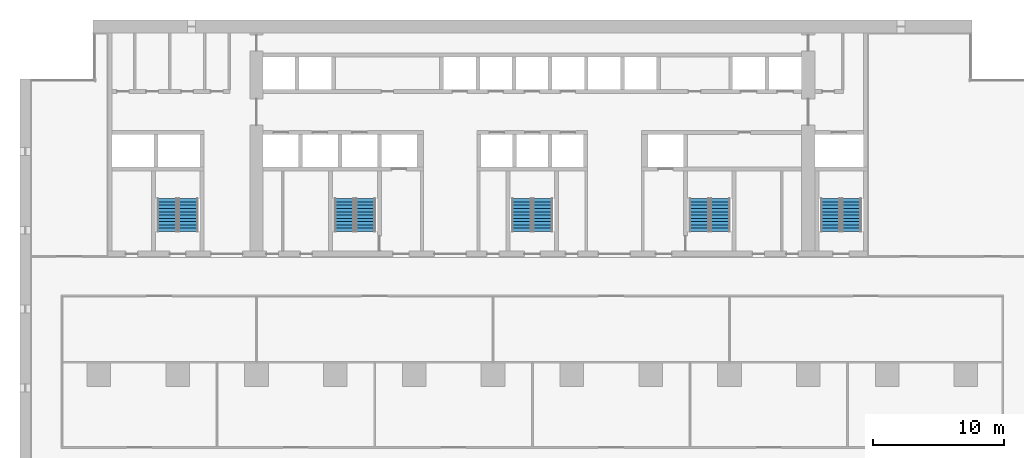
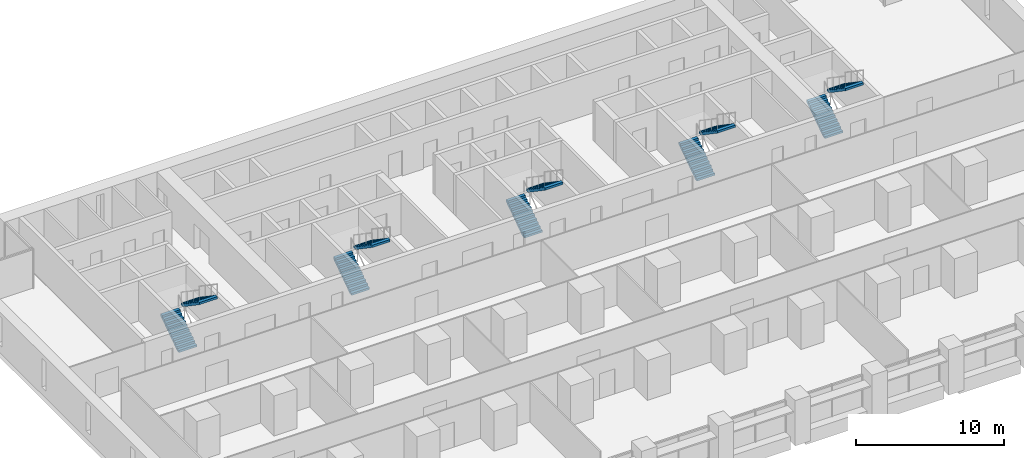
# One storey, part 14 of 18: 10 stair flights, 5 elements without a shape of their own.
"""IFC4 building model written with IfcOpenShell, lengths in metres."""

from ifc_helpers import new_model, si_unit, direction, frame, origin, place, context, subcontext, project, spatial, polyline, outline, extrude, material, type_object, element, aggregate, save


model = new_model("IFC4")

# Units and contexts
model_context = context("Model", 3, precision=1e-05, world=origin(), true_north=direction((0.0, 1.0)))
body_context = subcontext(model_context, "Body", "Model", "MODEL_VIEW")
ifc_project = project(units=[si_unit("LENGTHUNIT", "METRE"), si_unit("AREAUNIT", "SQUARE_METRE"), si_unit("VOLUMEUNIT", "CUBIC_METRE"), si_unit("PLANEANGLEUNIT", "RADIAN"), si_unit("MASSUNIT", "GRAM", prefix="KILO")], contexts=[model_context])

# Site, building, storey
site_placement = place(None, origin())
site = spatial("IfcSite", under=ifc_project, at=site_placement, CompositionType="ELEMENT")
building_placement = place(site_placement, origin())
building = spatial("IfcBuilding", under=site, at=building_placement, Name="Calvaro Tower", CompositionType="ELEMENT")
storey_placement = place(building_placement, frame((0.0, 0.0, 33.75)))
storey = spatial("IfcBuildingStorey", under=building, at=storey_placement, Name="L07", CompositionType="ELEMENT", Elevation=33.75)

# Stair, stair flights
ifc_material_1 = material(Name="Concrete C40/50", Category="concrete")
stair_type = type_object("IfcStairType", Name="Exit stair 1400 2 flights", PredefinedType="HALF_TURN_STAIR", material=ifc_material_1)
stair_1_placement = place(storey_placement, origin())
stair_1 = element("IfcStair", 1, at=stair_1_placement, inside=storey, type_object=stair_type, Name="Exit stair S1", PredefinedType="HALF_TURN_STAIR")
ifc_material_2 = material(Name="Concrete C40/50", Category="concrete")
stair_flight_type = type_object("IfcStairFlightType", Name="Stair flight", PredefinedType="STRAIGHT", material=ifc_material_2)
stair_flight_1_placement = place(storey_placement, frame((11.199951171875, 29.89990234375, 0.0), z_axis=(0.0, 0.0, 1.0), x_axis=(0.0, 1.0, 0.0)))
stair_flight_1 = element("IfcStairFlight", 2, at=stair_flight_1_placement, type_object=stair_flight_type, Name="Exit stair 1, flight 1", NumberOfRisers=11, NumberOfTreads=10, PredefinedType="STRAIGHT", RiserHeight=0.170454545, TreadLength=0.25, context=body_context, shape_type="SweptSolid", body=[
    extrude(outline(polyline([(0.0, 0.0), (0.0, 0.17041015625), (0.25, 0.17041015625), (0.25, 0.3408203125), (0.5, 0.3408203125), (0.5, 0.511474609375), (0.75, 0.511474609375), (0.75, 0.681884765625), (1.0, 0.681884765625), (1.0, 0.852294921875), (1.25, 0.852294921875), (1.25, 1.022705078125), (1.5, 1.022705078125), (1.5, 1.193115234375), (1.75, 1.193115234375), (1.75, 1.363525390625), (2.0, 1.363525390625), (2.0, 1.5341796875), (2.25, 1.5341796875), (2.25, 1.70458984375), (2.5, 1.70458984375), (2.5, 1.875), (2.5, 1.523193359375), (0.26611328125, 0.0), (0.0, 0.0)])), frame((0.0, 0.699951171875, 0.0), z_axis=(0.0, -1.0, 0.0), x_axis=(1.0, 0.0, 0.0)), (0.0, 0.0, 1.0), 1.39990234375),
])
stair_flight_2_placement = place(storey_placement, frame((12.800048828125, 32.39990234375, 1.875), z_axis=(0.0, 0.0, 1.0), x_axis=(0.0, -1.0, 0.0)))
stair_flight_2 = element("IfcStairFlight", 3, at=stair_flight_2_placement, type_object=stair_flight_type, Name="Exit stair 1, flight 2", NumberOfRisers=11, NumberOfTreads=10, PredefinedType="STRAIGHT", RiserHeight=0.170454545, TreadLength=0.25, context=body_context, shape_type="SweptSolid", body=[
    extrude(outline(polyline([(0.0, 0.0), (0.0, 0.17041015625), (0.25, 0.17041015625), (0.25, 0.3408203125), (0.5, 0.3408203125), (0.5, 0.511474609375), (0.75, 0.511474609375), (0.75, 0.681884765625), (1.0, 0.681884765625), (1.0, 0.852294921875), (1.25, 0.852294921875), (1.25, 1.022705078125), (1.5, 1.022705078125), (1.5, 1.193115234375), (1.75, 1.193115234375), (1.75, 1.363525390625), (2.0, 1.363525390625), (2.0, 1.5341796875), (2.25, 1.5341796875), (2.25, 1.70458984375), (2.5, 1.70458984375), (2.5, 1.875), (2.5, 1.523193359375), (0.26611328125, 0.0), (0.0, 0.0)])), frame((0.0, 0.699951171875, 0.0), z_axis=(0.0, -1.0, 0.0), x_axis=(1.0, 0.0, 0.0)), (0.0, 0.0, 1.0), 1.39990234375),
])
aggregate(stair_1, [stair_flight_1, stair_flight_2])

stair_2_placement = place(storey_placement, origin())
stair_2 = element("IfcStair", 4, at=stair_2_placement, inside=storey, type_object=stair_type, Name="Exit stair S2", PredefinedType="HALF_TURN_STAIR")
stair_flight_3_placement = place(storey_placement, frame((24.699951171875, 29.89990234375, 0.0), z_axis=(0.0, 0.0, 1.0), x_axis=(0.0, 1.0, 0.0)))
stair_flight_3 = element("IfcStairFlight", 5, at=stair_flight_3_placement, type_object=stair_flight_type, Name="Exit stair 2, flight 1", NumberOfRisers=11, NumberOfTreads=10, PredefinedType="STRAIGHT", RiserHeight=0.170454545, TreadLength=0.25, context=body_context, shape_type="SweptSolid", body=[
    extrude(outline(polyline([(0.0, 0.0), (0.0, 0.17041015625), (0.25, 0.17041015625), (0.25, 0.3408203125), (0.5, 0.3408203125), (0.5, 0.511474609375), (0.75, 0.511474609375), (0.75, 0.681884765625), (1.0, 0.681884765625), (1.0, 0.852294921875), (1.25, 0.852294921875), (1.25, 1.022705078125), (1.5, 1.022705078125), (1.5, 1.193115234375), (1.75, 1.193115234375), (1.75, 1.363525390625), (2.0, 1.363525390625), (2.0, 1.5341796875), (2.25, 1.5341796875), (2.25, 1.70458984375), (2.5, 1.70458984375), (2.5, 1.875), (2.5, 1.523193359375), (0.26611328125, 0.0), (0.0, 0.0)])), frame((0.0, 0.699951171875, 0.0), z_axis=(0.0, -1.0, 0.0), x_axis=(1.0, 0.0, 0.0)), (0.0, 0.0, 1.0), 1.39990234375),
])
stair_flight_4_placement = place(storey_placement, frame((26.300048828125, 32.39990234375, 1.875), z_axis=(0.0, 0.0, 1.0), x_axis=(0.0, -1.0, 0.0)))
stair_flight_4 = element("IfcStairFlight", 6, at=stair_flight_4_placement, type_object=stair_flight_type, Name="Exit stair 2, flight 2", NumberOfRisers=11, NumberOfTreads=10, PredefinedType="STRAIGHT", RiserHeight=0.170454545, TreadLength=0.25, context=body_context, shape_type="SweptSolid", body=[
    extrude(outline(polyline([(0.0, 0.0), (0.0, 0.17041015625), (0.25, 0.17041015625), (0.25, 0.3408203125), (0.5, 0.3408203125), (0.5, 0.511474609375), (0.75, 0.511474609375), (0.75, 0.681884765625), (1.0, 0.681884765625), (1.0, 0.852294921875), (1.25, 0.852294921875), (1.25, 1.022705078125), (1.5, 1.022705078125), (1.5, 1.193115234375), (1.75, 1.193115234375), (1.75, 1.363525390625), (2.0, 1.363525390625), (2.0, 1.5341796875), (2.25, 1.5341796875), (2.25, 1.70458984375), (2.5, 1.70458984375), (2.5, 1.875), (2.5, 1.523193359375), (0.26611328125, 0.0), (0.0, 0.0)])), frame((0.0, 0.699951171875, 0.0), z_axis=(0.0, -1.0, 0.0), x_axis=(1.0, 0.0, 0.0)), (0.0, 0.0, 1.0), 1.39990234375),
])
aggregate(stair_2, [stair_flight_3, stair_flight_4])

stair_3_placement = place(storey_placement, origin())
stair_3 = element("IfcStair", 7, at=stair_3_placement, inside=storey, type_object=stair_type, Name="Exit stair S3", PredefinedType="HALF_TURN_STAIR")
stair_flight_5_placement = place(storey_placement, frame((38.199951171875, 29.89990234375, 0.0), z_axis=(0.0, 0.0, 1.0), x_axis=(0.0, 1.0, 0.0)))
stair_flight_5 = element("IfcStairFlight", 8, at=stair_flight_5_placement, type_object=stair_flight_type, Name="Exit stair 3, flight 1", NumberOfRisers=11, NumberOfTreads=10, PredefinedType="STRAIGHT", RiserHeight=0.170454545, TreadLength=0.25, context=body_context, shape_type="SweptSolid", body=[
    extrude(outline(polyline([(0.0, 0.0), (0.0, 0.17041015625), (0.25, 0.17041015625), (0.25, 0.3408203125), (0.5, 0.3408203125), (0.5, 0.511474609375), (0.75, 0.511474609375), (0.75, 0.681884765625), (1.0, 0.681884765625), (1.0, 0.852294921875), (1.25, 0.852294921875), (1.25, 1.022705078125), (1.5, 1.022705078125), (1.5, 1.193115234375), (1.75, 1.193115234375), (1.75, 1.363525390625), (2.0, 1.363525390625), (2.0, 1.5341796875), (2.25, 1.5341796875), (2.25, 1.70458984375), (2.5, 1.70458984375), (2.5, 1.875), (2.5, 1.523193359375), (0.26611328125, 0.0), (0.0, 0.0)])), frame((0.0, 0.699951171875, 0.0), z_axis=(0.0, -1.0, 0.0), x_axis=(1.0, 0.0, 0.0)), (0.0, 0.0, 1.0), 1.39990234375),
])
stair_flight_6_placement = place(storey_placement, frame((39.800048828125, 32.39990234375, 1.875), z_axis=(0.0, 0.0, 1.0), x_axis=(0.0, -1.0, 0.0)))
stair_flight_6 = element("IfcStairFlight", 9, at=stair_flight_6_placement, type_object=stair_flight_type, Name="Exit stair 3, flight 2", NumberOfRisers=11, NumberOfTreads=10, PredefinedType="STRAIGHT", RiserHeight=0.170454545, TreadLength=0.25, context=body_context, shape_type="SweptSolid", body=[
    extrude(outline(polyline([(0.0, 0.0), (0.0, 0.17041015625), (0.25, 0.17041015625), (0.25, 0.3408203125), (0.5, 0.3408203125), (0.5, 0.511474609375), (0.75, 0.511474609375), (0.75, 0.681884765625), (1.0, 0.681884765625), (1.0, 0.852294921875), (1.25, 0.852294921875), (1.25, 1.022705078125), (1.5, 1.022705078125), (1.5, 1.193115234375), (1.75, 1.193115234375), (1.75, 1.363525390625), (2.0, 1.363525390625), (2.0, 1.5341796875), (2.25, 1.5341796875), (2.25, 1.70458984375), (2.5, 1.70458984375), (2.5, 1.875), (2.5, 1.523193359375), (0.26611328125, 0.0), (0.0, 0.0)])), frame((0.0, 0.699951171875, 0.0), z_axis=(0.0, -1.0, 0.0), x_axis=(1.0, 0.0, 0.0)), (0.0, 0.0, 1.0), 1.39990234375),
])
aggregate(stair_3, [stair_flight_5, stair_flight_6])

stair_4_placement = place(storey_placement, origin())
stair_4 = element("IfcStair", 10, at=stair_4_placement, inside=storey, type_object=stair_type, Name="Exit stair S4", PredefinedType="HALF_TURN_STAIR")
stair_flight_7_placement = place(storey_placement, frame((51.699951171875, 29.89990234375, 0.0), z_axis=(0.0, 0.0, 1.0), x_axis=(0.0, 1.0, 0.0)))
stair_flight_7 = element("IfcStairFlight", 11, at=stair_flight_7_placement, type_object=stair_flight_type, Name="Exit stair 4, flight 1", NumberOfRisers=11, NumberOfTreads=10, PredefinedType="STRAIGHT", RiserHeight=0.170454545, TreadLength=0.25, context=body_context, shape_type="SweptSolid", body=[
    extrude(outline(polyline([(0.0, 0.0), (0.0, 0.17041015625), (0.25, 0.17041015625), (0.25, 0.3408203125), (0.5, 0.3408203125), (0.5, 0.511474609375), (0.75, 0.511474609375), (0.75, 0.681884765625), (1.0, 0.681884765625), (1.0, 0.852294921875), (1.25, 0.852294921875), (1.25, 1.022705078125), (1.5, 1.022705078125), (1.5, 1.193115234375), (1.75, 1.193115234375), (1.75, 1.363525390625), (2.0, 1.363525390625), (2.0, 1.5341796875), (2.25, 1.5341796875), (2.25, 1.70458984375), (2.5, 1.70458984375), (2.5, 1.875), (2.5, 1.523193359375), (0.26611328125, 0.0), (0.0, 0.0)])), frame((0.0, 0.699951171875, 0.0), z_axis=(0.0, -1.0, 0.0), x_axis=(1.0, 0.0, 0.0)), (0.0, 0.0, 1.0), 1.39990234375),
])
stair_flight_8_placement = place(storey_placement, frame((53.300048828125, 32.39990234375, 1.875), z_axis=(0.0, 0.0, 1.0), x_axis=(0.0, -1.0, 0.0)))
stair_flight_8 = element("IfcStairFlight", 12, at=stair_flight_8_placement, type_object=stair_flight_type, Name="Exit stair 4, flight 2", NumberOfRisers=11, NumberOfTreads=10, PredefinedType="STRAIGHT", RiserHeight=0.170454545, TreadLength=0.25, context=body_context, shape_type="SweptSolid", body=[
    extrude(outline(polyline([(0.0, 0.0), (0.0, 0.17041015625), (0.25, 0.17041015625), (0.25, 0.3408203125), (0.5, 0.3408203125), (0.5, 0.511474609375), (0.75, 0.511474609375), (0.75, 0.681884765625), (1.0, 0.681884765625), (1.0, 0.852294921875), (1.25, 0.852294921875), (1.25, 1.022705078125), (1.5, 1.022705078125), (1.5, 1.193115234375), (1.75, 1.193115234375), (1.75, 1.363525390625), (2.0, 1.363525390625), (2.0, 1.5341796875), (2.25, 1.5341796875), (2.25, 1.70458984375), (2.5, 1.70458984375), (2.5, 1.875), (2.5, 1.523193359375), (0.26611328125, 0.0), (0.0, 0.0)])), frame((0.0, 0.699951171875, 0.0), z_axis=(0.0, -1.0, 0.0), x_axis=(1.0, 0.0, 0.0)), (0.0, 0.0, 1.0), 1.39990234375),
])
aggregate(stair_4, [stair_flight_7, stair_flight_8])

stair_5_placement = place(storey_placement, origin())
stair_5 = element("IfcStair", 13, at=stair_5_placement, inside=storey, type_object=stair_type, Name="Exit stair S5", PredefinedType="HALF_TURN_STAIR")
stair_flight_9_placement = place(storey_placement, frame((61.699951171875, 29.89990234375, 0.0), z_axis=(0.0, 0.0, 1.0), x_axis=(0.0, 1.0, 0.0)))
stair_flight_9 = element("IfcStairFlight", 14, at=stair_flight_9_placement, type_object=stair_flight_type, Name="Exit stair 5, flight 1", NumberOfRisers=11, NumberOfTreads=10, PredefinedType="STRAIGHT", RiserHeight=0.170454545, TreadLength=0.25, context=body_context, shape_type="SweptSolid", body=[
    extrude(outline(polyline([(0.0, 0.0), (0.0, 0.17041015625), (0.25, 0.17041015625), (0.25, 0.3408203125), (0.5, 0.3408203125), (0.5, 0.511474609375), (0.75, 0.511474609375), (0.75, 0.681884765625), (1.0, 0.681884765625), (1.0, 0.852294921875), (1.25, 0.852294921875), (1.25, 1.022705078125), (1.5, 1.022705078125), (1.5, 1.193115234375), (1.75, 1.193115234375), (1.75, 1.363525390625), (2.0, 1.363525390625), (2.0, 1.5341796875), (2.25, 1.5341796875), (2.25, 1.70458984375), (2.5, 1.70458984375), (2.5, 1.875), (2.5, 1.523193359375), (0.26611328125, 0.0), (0.0, 0.0)])), frame((0.0, 0.699951171875, 0.0), z_axis=(0.0, -1.0, 0.0), x_axis=(1.0, 0.0, 0.0)), (0.0, 0.0, 1.0), 1.39990234375),
])
stair_flight_10_placement = place(storey_placement, frame((63.300048828125, 32.39990234375, 1.875), z_axis=(0.0, 0.0, 1.0), x_axis=(0.0, -1.0, 0.0)))
stair_flight_10 = element("IfcStairFlight", 15, at=stair_flight_10_placement, type_object=stair_flight_type, Name="Exit stair 5, flight 2", NumberOfRisers=11, NumberOfTreads=10, PredefinedType="STRAIGHT", RiserHeight=0.170454545, TreadLength=0.25, context=body_context, shape_type="SweptSolid", body=[
    extrude(outline(polyline([(0.0, 0.0), (0.0, 0.17041015625), (0.25, 0.17041015625), (0.25, 0.3408203125), (0.5, 0.3408203125), (0.5, 0.511474609375), (0.75, 0.511474609375), (0.75, 0.681884765625), (1.0, 0.681884765625), (1.0, 0.852294921875), (1.25, 0.852294921875), (1.25, 1.022705078125), (1.5, 1.022705078125), (1.5, 1.193115234375), (1.75, 1.193115234375), (1.75, 1.363525390625), (2.0, 1.363525390625), (2.0, 1.5341796875), (2.25, 1.5341796875), (2.25, 1.70458984375), (2.5, 1.70458984375), (2.5, 1.875), (2.5, 1.523193359375), (0.26611328125, 0.0), (0.0, 0.0)])), frame((0.0, 0.699951171875, 0.0), z_axis=(0.0, -1.0, 0.0), x_axis=(1.0, 0.0, 0.0)), (0.0, 0.0, 1.0), 1.39990234375),
])
aggregate(stair_5, [stair_flight_9, stair_flight_10])

save(model, "model.ifc")
